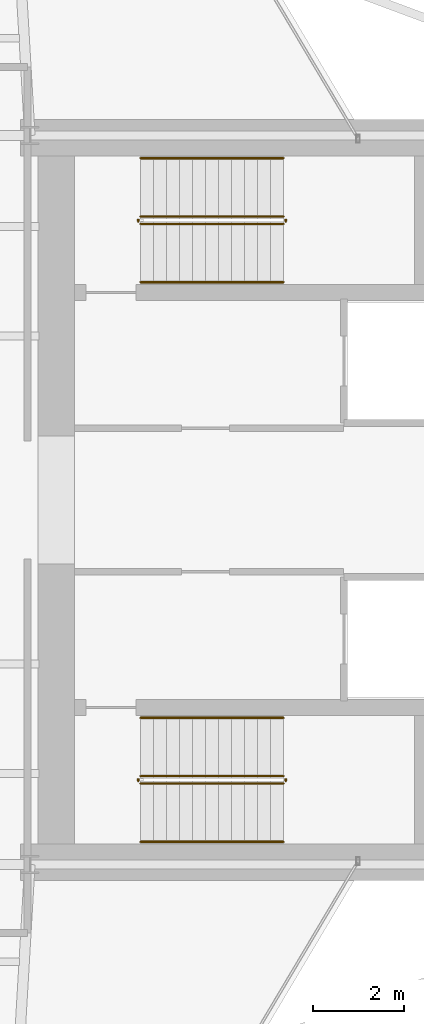
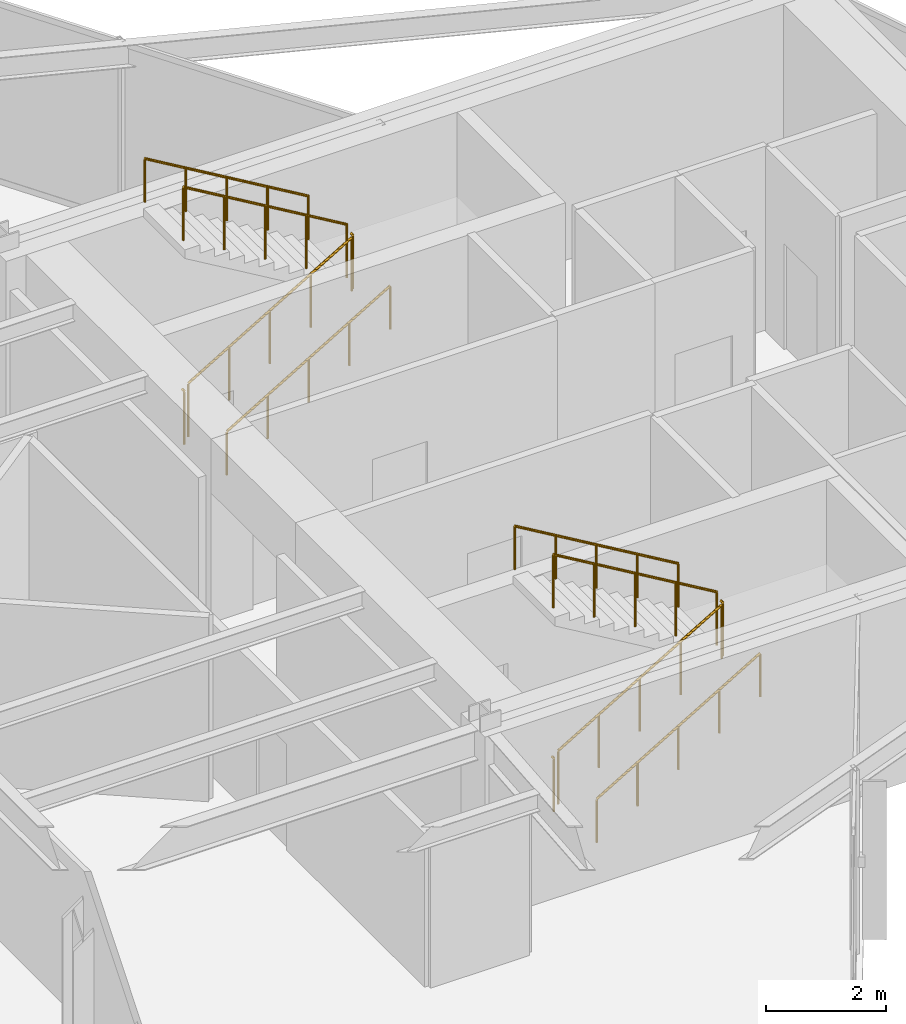
# One storey, part 23 of 23: 12 railings.
"""IFC4 building model written with IfcOpenShell, lengths in metres."""

from ifc_helpers import new_model, si_unit, direction, frame, origin, origin_2d, place, context, subcontext, project, spatial, circle, extrude, material, type_object, element, save


model = new_model("IFC4")

# Units and contexts
model_context = context("Model", 3, precision=1e-05, world=origin(), true_north=direction((0.0, 1.0)))
body_context = subcontext(model_context, "Body", "Model", "MODEL_VIEW")
ifc_project = project(units=[si_unit("LENGTHUNIT", "METRE"), si_unit("AREAUNIT", "SQUARE_METRE"), si_unit("VOLUMEUNIT", "CUBIC_METRE"), si_unit("PLANEANGLEUNIT", "RADIAN"), si_unit("MASSUNIT", "GRAM", prefix="KILO")], contexts=[model_context])

# Site, building, storey
site_placement = place(None, origin())
site = spatial("IfcSite", under=ifc_project, at=site_placement, CompositionType="ELEMENT")
building_placement = place(site_placement, origin())
building = spatial("IfcBuilding", under=site, at=building_placement, Name="Veymaron Broadcast Tower", CompositionType="ELEMENT")
storey_placement = place(building_placement, frame((0.0, 0.0, 177.60009765625)))
storey = spatial("IfcBuildingStorey", under=building, at=storey_placement, Name="L41", CompositionType="ELEMENT", Elevation=177.60009765625)

# Railings
ifc_material_1 = material(Name="Brushed stainless steel AISI 304", Category="steel")
railing_type_1 = type_object("IfcRailingType", Name="RAIL-STAIR-HR", PredefinedType="HANDRAIL", material=ifc_material_1)
railing_1_placement = place(storey_placement, frame((41.429931640625, 28.780029296875, 0.168701171875)))
element("IfcRailing", 1, at=railing_1_placement, inside=storey, type_object=railing_type_1, Name="L41 ST1 stair handrail 1", PredefinedType="HANDRAIL", context=body_context, shape_type="SweptSolid", body=[
    extrude(circle(Radius=0.02392578125, at=origin_2d()), frame((0.0, 0.0, 0.8759765625), z_axis=(0.860481960309, 0.0, 0.509480908359), x_axis=(0.0, 1.0, 0.0)), (0.0, 0.0, 1.0), 3.643310546875),
    extrude(circle(Radius=0.02099609375, at=origin_2d()), origin(), (0.0, 0.0, 1.0), 0.851806640625),
    extrude(circle(Radius=0.02099609375, at=origin_2d()), frame((0.78369140625, 0.0, 0.464111328125)), (0.0, 0.0, 1.0), 0.851806640625),
    extrude(circle(Radius=0.02099609375, at=origin_2d()), frame((1.5673828125, 0.0, 0.92822265625)), (0.0, 0.0, 1.0), 0.851806640625),
    extrude(circle(Radius=0.02099609375, at=origin_2d()), frame((2.351318359375, 0.0, 1.39208984375)), (0.0, 0.0, 1.0), 0.851806640625),
    extrude(circle(Radius=0.02099609375, at=origin_2d()), frame((3.135009765625, 0.0, 1.856201171875)), (0.0, 0.0, 1.0), 0.851806640625),
])
railing_2_placement = place(storey_placement, frame((44.56494140625, 31.5, 2.193603515625)))
element("IfcRailing", 2, at=railing_2_placement, inside=storey, type_object=railing_type_1, Name="L41 ST1 stair handrail 2", PredefinedType="HANDRAIL", context=body_context, shape_type="SweptSolid", body=[
    extrude(circle(Radius=0.02392578125, at=origin_2d()), frame((0.0, 0.0, 0.8759765625), z_axis=(-0.860481960309, 0.0, 0.509480908359), x_axis=(0.0, -1.0, 0.0)), (0.0, 0.0, 1.0), 3.643310546875),
    extrude(circle(Radius=0.02099609375, at=origin_2d()), origin(), (0.0, 0.0, 1.0), 0.851806640625),
    extrude(circle(Radius=0.02099609375, at=origin_2d()), frame((-0.78369140625, 0.0, 0.464111328125)), (0.0, 0.0, 1.0), 0.851806640625),
    extrude(circle(Radius=0.02099609375, at=origin_2d()), frame((-1.5673828125, 0.0, 0.92822265625)), (0.0, 0.0, 1.0), 0.851806640625),
    extrude(circle(Radius=0.02099609375, at=origin_2d()), frame((-2.351318359375, 0.0, 1.39208984375)), (0.0, 0.0, 1.0), 0.851806640625),
    extrude(circle(Radius=0.02099609375, at=origin_2d()), frame((-3.135009765625, 0.0, 1.856201171875)), (0.0, 0.0, 1.0), 0.851806640625),
])
railing_3_placement = place(storey_placement, frame((41.429931640625, 16.5, 0.168701171875)))
element("IfcRailing", 3, at=railing_3_placement, inside=storey, type_object=railing_type_1, Name="L41 ST2 stair handrail 1", PredefinedType="HANDRAIL", context=body_context, shape_type="SweptSolid", body=[
    extrude(circle(Radius=0.02392578125, at=origin_2d()), frame((0.0, 0.0, 0.8759765625), z_axis=(0.860481960309, 0.0, 0.509480908359), x_axis=(0.0, 1.0, 0.0)), (0.0, 0.0, 1.0), 3.643310546875),
    extrude(circle(Radius=0.02099609375, at=origin_2d()), origin(), (0.0, 0.0, 1.0), 0.851806640625),
    extrude(circle(Radius=0.02099609375, at=origin_2d()), frame((0.78369140625, 0.0, 0.464111328125)), (0.0, 0.0, 1.0), 0.851806640625),
    extrude(circle(Radius=0.02099609375, at=origin_2d()), frame((1.5673828125, 0.0, 0.92822265625)), (0.0, 0.0, 1.0), 0.851806640625),
    extrude(circle(Radius=0.02099609375, at=origin_2d()), frame((2.351318359375, 0.0, 1.39208984375)), (0.0, 0.0, 1.0), 0.851806640625),
    extrude(circle(Radius=0.02099609375, at=origin_2d()), frame((3.135009765625, 0.0, 1.856201171875)), (0.0, 0.0, 1.0), 0.851806640625),
])
railing_4_placement = place(storey_placement, frame((44.56494140625, 19.219970703125, 2.193603515625)))
element("IfcRailing", 4, at=railing_4_placement, inside=storey, type_object=railing_type_1, Name="L41 ST2 stair handrail 2", PredefinedType="HANDRAIL", context=body_context, shape_type="SweptSolid", body=[
    extrude(circle(Radius=0.02392578125, at=origin_2d()), frame((0.0, 0.0, 0.8759765625), z_axis=(-0.860481960309, 0.0, 0.509480908359), x_axis=(0.0, -1.0, 0.0)), (0.0, 0.0, 1.0), 3.643310546875),
    extrude(circle(Radius=0.02099609375, at=origin_2d()), origin(), (0.0, 0.0, 1.0), 0.851806640625),
    extrude(circle(Radius=0.02099609375, at=origin_2d()), frame((-0.78369140625, 0.0, 0.464111328125)), (0.0, 0.0, 1.0), 0.851806640625),
    extrude(circle(Radius=0.02099609375, at=origin_2d()), frame((-1.5673828125, 0.0, 0.92822265625)), (0.0, 0.0, 1.0), 0.851806640625),
    extrude(circle(Radius=0.02099609375, at=origin_2d()), frame((-2.351318359375, 0.0, 1.39208984375)), (0.0, 0.0, 1.0), 0.851806640625),
    extrude(circle(Radius=0.02099609375, at=origin_2d()), frame((-3.135009765625, 0.0, 1.856201171875)), (0.0, 0.0, 1.0), 0.851806640625),
])
ifc_material_2 = material(Name="Painted galvanized steel balustrade", Category="steel")
railing_type_2 = type_object("IfcRailingType", Name="RAIL-WELL-GRD", PredefinedType="GUARDRAIL", material=ifc_material_2)
railing_5_placement = place(storey_placement, frame((41.429931640625, 30.06005859375, 0.168701171875)))
element("IfcRailing", 5, at=railing_5_placement, inside=storey, type_object=railing_type_2, Name="L41 ST1 stair guard 1", PredefinedType="GUARDRAIL", context=body_context, shape_type="SweptSolid", body=[
    extrude(circle(Radius=0.02392578125, at=origin_2d()), frame((0.0, 0.0, 1.076171875), z_axis=(0.860481960309, 0.0, 0.509480908359), x_axis=(0.0, 1.0, 0.0)), (0.0, 0.0, 1.0), 3.643310546875),
    extrude(circle(Radius=0.02099609375, at=origin_2d()), origin(), (0.0, 0.0, 1.0), 1.052001953125),
    extrude(circle(Radius=0.02099609375, at=origin_2d()), frame((0.78369140625, 0.0, 0.464111328125)), (0.0, 0.0, 1.0), 1.052001953125),
    extrude(circle(Radius=0.02099609375, at=origin_2d()), frame((1.5673828125, 0.0, 0.92822265625)), (0.0, 0.0, 1.0), 1.052001953125),
    extrude(circle(Radius=0.02099609375, at=origin_2d()), frame((2.351318359375, 0.0, 1.39208984375)), (0.0, 0.0, 1.0), 1.052001953125),
    extrude(circle(Radius=0.02099609375, at=origin_2d()), frame((3.135009765625, 0.0, 1.856201171875)), (0.0, 0.0, 1.0), 1.052001953125),
])
railing_6_placement = place(storey_placement, frame((44.614990234375, 30.110107421875, 2.02490234375)))
element("IfcRailing", 6, at=railing_6_placement, inside=storey, type_object=railing_type_2, Name="L41 ST1 stair guard 2", PredefinedType="GUARDRAIL", context=body_context, shape_type="SweptSolid", body=[
    extrude(circle(Radius=0.02392578125, at=origin_2d()), frame((0.0, 0.0, 1.076171875), z_axis=(0.0, 1.0, 0.0), x_axis=(-1.0, 0.0, 0.0)), (0.0, 0.0, 1.0), 0.059814453125),
    extrude(circle(Radius=0.02099609375, at=origin_2d()), origin(), (0.0, 0.0, 1.0), 1.052001953125),
])
railing_7_placement = place(storey_placement, frame((44.56494140625, 30.219970703125, 2.193603515625)))
element("IfcRailing", 7, at=railing_7_placement, inside=storey, type_object=railing_type_2, Name="L41 ST1 stair guard 3", PredefinedType="GUARDRAIL", context=body_context, shape_type="SweptSolid", body=[
    extrude(circle(Radius=0.02392578125, at=origin_2d()), frame((0.0, 0.0, 1.076171875), z_axis=(-0.860481960309, 0.0, 0.509480908359), x_axis=(0.0, -1.0, 0.0)), (0.0, 0.0, 1.0), 3.643310546875),
    extrude(circle(Radius=0.02099609375, at=origin_2d()), origin(), (0.0, 0.0, 1.0), 1.052001953125),
    extrude(circle(Radius=0.02099609375, at=origin_2d()), frame((-0.78369140625, 0.0, 0.464111328125)), (0.0, 0.0, 1.0), 1.052001953125),
    extrude(circle(Radius=0.02099609375, at=origin_2d()), frame((-1.5673828125, 0.0, 0.92822265625)), (0.0, 0.0, 1.0), 1.052001953125),
    extrude(circle(Radius=0.02099609375, at=origin_2d()), frame((-2.351318359375, 0.0, 1.39208984375)), (0.0, 0.0, 1.0), 1.052001953125),
    extrude(circle(Radius=0.02099609375, at=origin_2d()), frame((-3.135009765625, 0.0, 1.856201171875)), (0.0, 0.0, 1.0), 1.052001953125),
])
railing_8_placement = place(storey_placement, frame((41.3798828125, 30.110107421875, 0.0)))
element("IfcRailing", 8, at=railing_8_placement, inside=storey, type_object=railing_type_2, Name="L41 ST1 stair guard 4", PredefinedType="GUARDRAIL", context=body_context, shape_type="SweptSolid", body=[
    extrude(circle(Radius=0.02392578125, at=origin_2d()), frame((0.0, 0.0, 1.076171875), z_axis=(0.0, 1.0, 0.0), x_axis=(-1.0, 0.0, 0.0)), (0.0, 0.0, 1.0), 0.059814453125),
    extrude(circle(Radius=0.02099609375, at=origin_2d()), origin(), (0.0, 0.0, 1.0), 1.052001953125),
])
railing_9_placement = place(storey_placement, frame((41.429931640625, 17.780029296875, 0.168701171875)))
element("IfcRailing", 9, at=railing_9_placement, inside=storey, type_object=railing_type_2, Name="L41 ST2 stair guard 1", PredefinedType="GUARDRAIL", context=body_context, shape_type="SweptSolid", body=[
    extrude(circle(Radius=0.02392578125, at=origin_2d()), frame((0.0, 0.0, 1.076171875), z_axis=(0.860481960309, 0.0, 0.509480908359), x_axis=(0.0, 1.0, 0.0)), (0.0, 0.0, 1.0), 3.643310546875),
    extrude(circle(Radius=0.02099609375, at=origin_2d()), origin(), (0.0, 0.0, 1.0), 1.052001953125),
    extrude(circle(Radius=0.02099609375, at=origin_2d()), frame((0.78369140625, 0.0, 0.464111328125)), (0.0, 0.0, 1.0), 1.052001953125),
    extrude(circle(Radius=0.02099609375, at=origin_2d()), frame((1.5673828125, 0.0, 0.92822265625)), (0.0, 0.0, 1.0), 1.052001953125),
    extrude(circle(Radius=0.02099609375, at=origin_2d()), frame((2.351318359375, 0.0, 1.39208984375)), (0.0, 0.0, 1.0), 1.052001953125),
    extrude(circle(Radius=0.02099609375, at=origin_2d()), frame((3.135009765625, 0.0, 1.856201171875)), (0.0, 0.0, 1.0), 1.052001953125),
])
railing_10_placement = place(storey_placement, frame((44.614990234375, 17.830078125, 2.02490234375)))
element("IfcRailing", 10, at=railing_10_placement, inside=storey, type_object=railing_type_2, Name="L41 ST2 stair guard 2", PredefinedType="GUARDRAIL", context=body_context, shape_type="SweptSolid", body=[
    extrude(circle(Radius=0.02392578125, at=origin_2d()), frame((0.0, 0.0, 1.076171875), z_axis=(0.0, 1.0, 0.0), x_axis=(-1.0, 0.0, 0.0)), (0.0, 0.0, 1.0), 0.059814453125),
    extrude(circle(Radius=0.02099609375, at=origin_2d()), origin(), (0.0, 0.0, 1.0), 1.052001953125),
])
railing_11_placement = place(storey_placement, frame((44.56494140625, 17.93994140625, 2.193603515625)))
element("IfcRailing", 11, at=railing_11_placement, inside=storey, type_object=railing_type_2, Name="L41 ST2 stair guard 3", PredefinedType="GUARDRAIL", context=body_context, shape_type="SweptSolid", body=[
    extrude(circle(Radius=0.02392578125, at=origin_2d()), frame((0.0, 0.0, 1.076171875), z_axis=(-0.860481960309, 0.0, 0.509480908359), x_axis=(0.0, -1.0, 0.0)), (0.0, 0.0, 1.0), 3.643310546875),
    extrude(circle(Radius=0.02099609375, at=origin_2d()), origin(), (0.0, 0.0, 1.0), 1.052001953125),
    extrude(circle(Radius=0.02099609375, at=origin_2d()), frame((-0.78369140625, 0.0, 0.464111328125)), (0.0, 0.0, 1.0), 1.052001953125),
    extrude(circle(Radius=0.02099609375, at=origin_2d()), frame((-1.5673828125, 0.0, 0.92822265625)), (0.0, 0.0, 1.0), 1.052001953125),
    extrude(circle(Radius=0.02099609375, at=origin_2d()), frame((-2.351318359375, 0.0, 1.39208984375)), (0.0, 0.0, 1.0), 1.052001953125),
    extrude(circle(Radius=0.02099609375, at=origin_2d()), frame((-3.135009765625, 0.0, 1.856201171875)), (0.0, 0.0, 1.0), 1.052001953125),
])
railing_12_placement = place(storey_placement, frame((41.3798828125, 17.830078125, 0.0)))
element("IfcRailing", 12, at=railing_12_placement, inside=storey, type_object=railing_type_2, Name="L41 ST2 stair guard 4", PredefinedType="GUARDRAIL", context=body_context, shape_type="SweptSolid", body=[
    extrude(circle(Radius=0.02392578125, at=origin_2d()), frame((0.0, 0.0, 1.076171875), z_axis=(0.0, 1.0, 0.0), x_axis=(-1.0, 0.0, 0.0)), (0.0, 0.0, 1.0), 0.059814453125),
    extrude(circle(Radius=0.02099609375, at=origin_2d()), origin(), (0.0, 0.0, 1.0), 1.052001953125),
])

save(model, "model.ifc")
